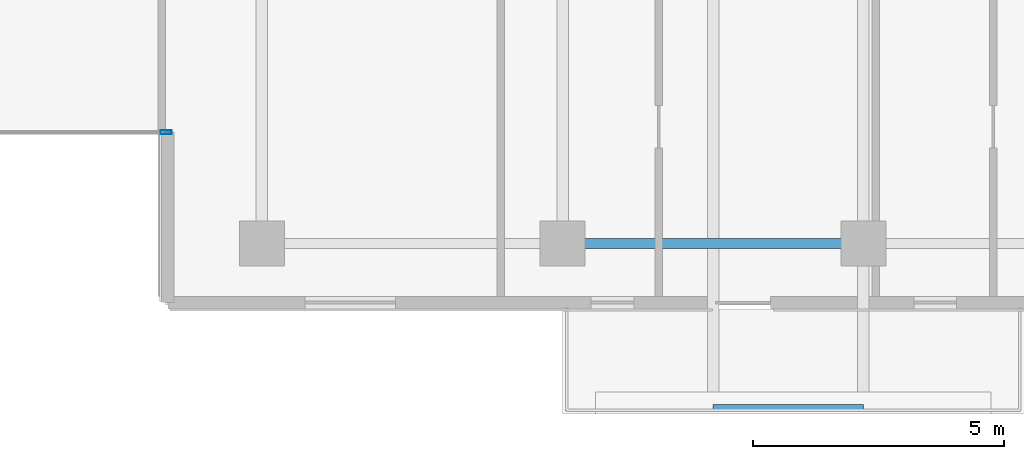
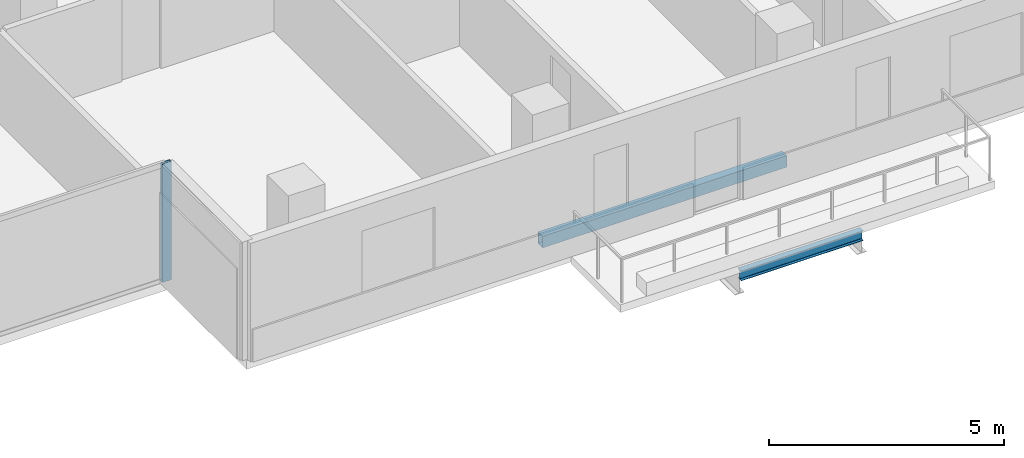
# One storey, part 4 of 19: 2 beams, 1 member, 1 element without a shape of its own.
"""IFC4 building model written with IfcOpenShell, lengths in metres."""

from ifc_helpers import new_model, si_unit, direction, frame, origin, origin_2d, place, context, subcontext, project, spatial, hollow_rectangle, i_section, extrude, material, layer, layer_set, material_profile, profile_set, type_object, element, aggregate, save


model = new_model("IFC4")

# Units and contexts
model_context = context("Model", 3, precision=1e-05, world=origin(), true_north=direction((0.0, 1.0)))
body_context = subcontext(model_context, "Body", "Model", "MODEL_VIEW")
ifc_project = project(units=[si_unit("LENGTHUNIT", "METRE"), si_unit("AREAUNIT", "SQUARE_METRE"), si_unit("VOLUMEUNIT", "CUBIC_METRE"), si_unit("PLANEANGLEUNIT", "RADIAN"), si_unit("MASSUNIT", "GRAM", prefix="KILO")], contexts=[model_context])

# Site, building, storey
site_placement = place(None, origin())
site = spatial("IfcSite", under=ifc_project, at=site_placement, CompositionType="ELEMENT")
building_placement = place(site_placement, origin())
building = spatial("IfcBuilding", under=site, at=building_placement, Name="Tanjung Sevakor Pilgrim Tower", CompositionType="ELEMENT")
storey_placement = place(building_placement, frame((0.0, 0.0, 132.0)))
storey = spatial("IfcBuildingStorey", under=building, at=storey_placement, Name="L36", CompositionType="ELEMENT", Elevation=132.0)

# Beams
ifc_material_1 = material(Name="Steel S355J2", Category="steel")
ifc_material_profile_1 = material_profile(ifc_material_1, i_section(OverallWidth=0.146484375, OverallDepth=0.256103515625, WebThickness=0.00634765625, FlangeThickness=0.010986328125, FilletRadius=0.007568359375, at=origin_2d()))
ifc_profile_set_1 = profile_set([ifc_material_profile_1], Name="Steel S355J2")
beam_type_1 = type_object("IfcBeamType", Name="BM-B-J6-UB_254x146x37", PredefinedType="JOIST", material=ifc_profile_set_1)
beam_1_placement = place(storey_placement, frame((63.0, 9.919921875, -0.327880859375), z_axis=(1.0, 0.0, 0.0), x_axis=(0.0, 1.0, 0.0)))
element("IfcBeam", 1, at=beam_1_placement, inside=storey, type_object=beam_type_1, Name="L36 Balcony Rim Tie MAIN-S2", PredefinedType="JOIST", context=body_context, shape_type="SweptSolid", body=[
    extrude(i_section(OverallWidth=0.146484375, OverallDepth=0.256103515625, WebThickness=0.00634765625, FlangeThickness=0.010986328125, FilletRadius=0.007568359375, at=origin_2d()), origin(), (0.0, 0.0, 1.0), 3.0),
])
ifc_material_2 = material(Name="Steel S355J2", Category="steel")
ifc_material_profile_2 = material_profile(ifc_material_2, hollow_rectangle(XDim=0.199951171875, YDim=0.300048828125, WallThickness=0.012451171875, at=origin_2d()))
ifc_profile_set_2 = profile_set([ifc_material_profile_2], Name="Steel S355J2")
beam_type_2 = type_object("IfcBeamType", Name="BM-B-SP3-RHS_300x200x12.5", PredefinedType="SPANDREL", material=ifc_profile_set_2)
beam_2_placement = place(storey_placement, frame((60.0, 13.199951171875, -0.3701171875), z_axis=(1.0, 0.0, 0.0), x_axis=(0.0, 1.0, 0.0)))
element("IfcBeam", 2, at=beam_2_placement, inside=storey, type_object=beam_type_2, Name="L36 Spandrel MAIN S-09", PredefinedType="SPANDREL", context=body_context, shape_type="SweptSolid", body=[
    extrude(hollow_rectangle(XDim=0.199951171875, YDim=0.300048828125, WallThickness=0.012451171875, at=origin_2d()), origin(), (0.0, 0.0, 1.0), 6.0),
])

# Curtain wall, member
ifc_material_3 = material(Name="Aluminium 6063-T6 and Low-E Glass", Category="aluminium")
ifc_layer = layer(ifc_material_3, 0.179931640625)
ifc_layer_set = layer_set([ifc_layer], Name="CW-SYS-CLEFT")
curtain_wall_type = type_object("IfcCurtainWallType", Name="CW-SYS-CLEFT", PredefinedType="NOTDEFINED", material=ifc_layer_set)
curtain_wall_placement = place(storey_placement, origin())
curtain_wall = element("IfcCurtainWall", 3, at=curtain_wall_placement, inside=storey, type_object=curtain_wall_type, Name="L36 Curtain Wall CW-CLF-L36-2", PredefinedType="NOTDEFINED")
ifc_material_4 = material(Name="Aluminium 6063-T6", Category="aluminium")
ifc_material_profile_3 = material_profile(ifc_material_4, hollow_rectangle(XDim=0.074951171875, YDim=0.219970703125, WallThickness=0.0048828125, at=origin_2d()))
ifc_profile_set_3 = profile_set([ifc_material_profile_3], Name="Aluminium 6063-T6")
member_type = type_object("IfcMemberType", Name="TYPE-CWM-2", PredefinedType="MULLION", material=ifc_profile_set_3)
member_placement = place(storey_placement, frame((52.08740234375, 15.425048828125, 0.0), z_axis=(0.0, 0.0, 1.0), x_axis=(0.0, 1.0, 0.0)))
member = element("IfcMember", 4, at=member_placement, type_object=member_type, Name="CW-CLF mullion 2", PredefinedType="MULLION", context=body_context, shape_type="SweptSolid", body=[
    extrude(hollow_rectangle(XDim=0.074951171875, YDim=0.219970703125, WallThickness=0.0048828125, at=origin_2d()), origin(), (0.0, 0.0, 1.0), 3.080078125),
])
aggregate(curtain_wall, [member])

save(model, "model.ifc")
